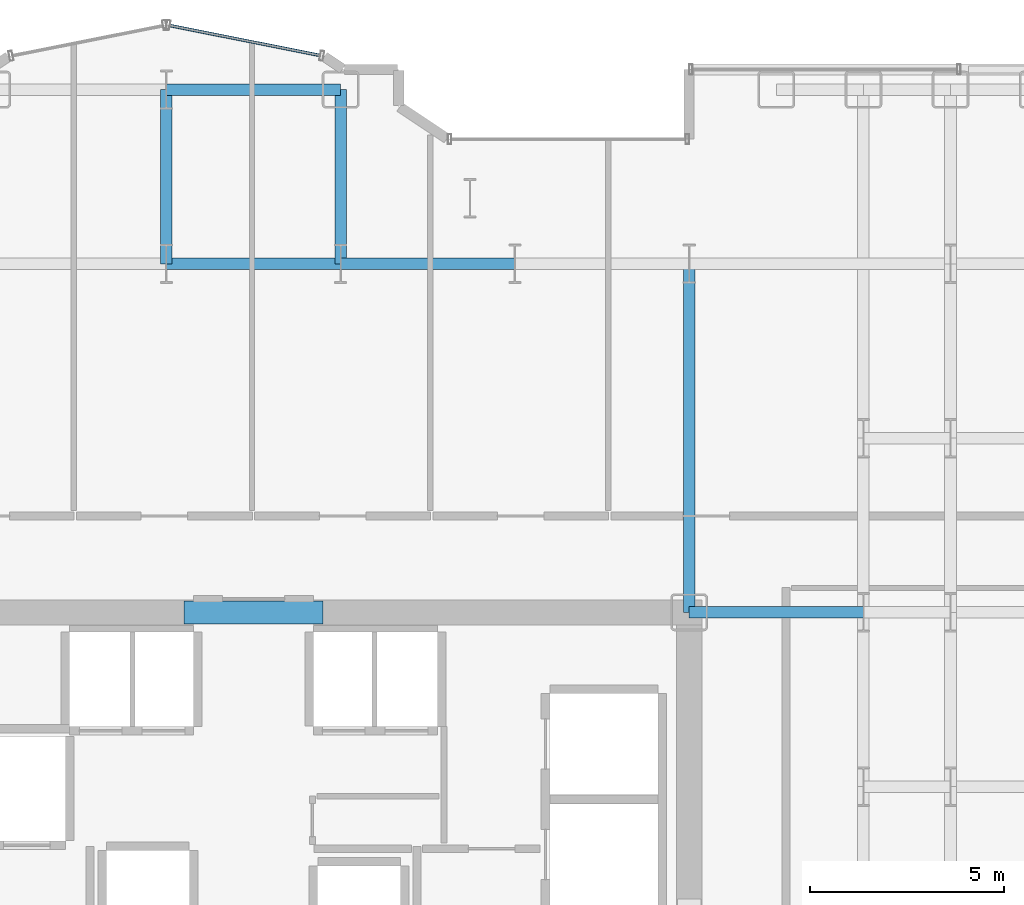
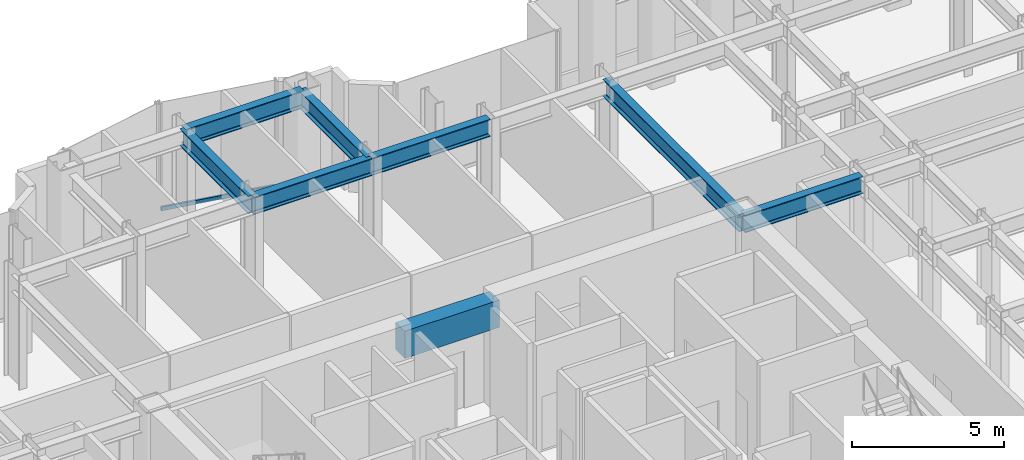
# One storey, part 14 of 30: 8 beams, 1 member, 1 element without a shape of its own.
"""IFC4 building model written with IfcOpenShell, lengths in metres."""

import ifcopenshell
import ifcopenshell.guid

model = None  # the IFC model being written
_history = None  # IfcOwnerHistory: only IFC2X3 demands one
_inside = {}  # id of a spatial element -> (the spatial element, [elements in it])
_under = {}  # id of a project, library or spatial element -> (it, [spatial elements below it])
_declared = {}  # id of a project -> (the project, [libraries it declares])
_typed = {}  # id of a type object -> (the type object, [elements of that type])
_made_of = {}  # id of a material, layer set ... -> (it, [elements and type objects made of it])


def new_model(schema):
    """Start an empty IFC model of exactly this schema.

    Asked for "IFC4X3", IfcOpenShell would pick the latest addendum, in which some entities
    have other attributes; the version numbers below select the first issue.
    IFC2X3 requires an IfcOwnerHistory on every rooted entity: one is made here for all.
    """
    global model, _history
    if schema == "IFC4X3":
        model = ifcopenshell.file(schema_version=(4, 3, 0, 0))
    else:
        model = ifcopenshell.file(schema=schema)
    _inside.clear()
    _under.clear()
    _declared.clear()
    _typed.clear()
    _made_of.clear()
    _history = None
    if model.schema == "IFC2X3":
        org = make("IfcOrganization", Name="unknown")
        user = make(
            "IfcPersonAndOrganization",
            ThePerson=make("IfcPerson", FamilyName="unknown"),
            TheOrganization=org,
        )
        app = make(
            "IfcApplication",
            ApplicationDeveloper=org,
            Version="unknown",
            ApplicationFullName="unknown",
            ApplicationIdentifier="unknown",
        )
        _history = make(
            "IfcOwnerHistory",
            OwningUser=user,
            OwningApplication=app,
            ChangeAction="ADDED",
            CreationDate=0,
        )
    return model


def make(cls, **values):
    """One entity of the class cls with the attributes given. An attribute that is None is left unset."""
    return model.create_entity(
        cls, **{name: value for name, value in values.items() if value is not None}
    )


def rooted(cls, **values):
    """An entity with a GlobalId (a new one), such as an element, a storey or a relation."""
    return make(cls, GlobalId=ifcopenshell.guid.new(), OwnerHistory=_history, **values)


def si_unit(unit_type, name, prefix=None):
    """IfcSIUnit, for example si_unit("LENGTHUNIT", "METRE", prefix="MILLI")."""
    return make("IfcSIUnit", UnitType=unit_type, Prefix=prefix, Name=name)


def assignment(units):
    """IfcUnitAssignment: the units of a project."""
    return None if units is None else make("IfcUnitAssignment", Units=units)


def point(xyz):
    """IfcCartesianPoint."""
    return None if xyz is None else make("IfcCartesianPoint", Coordinates=xyz)


def direction(xyz):
    """IfcDirection."""
    return None if xyz is None else make("IfcDirection", DirectionRatios=xyz)


def frame(location, z_axis=None, x_axis=None):
    """IfcAxis2Placement3D, a coordinate frame: its origin and axes. An axis left out is left unset."""
    return make(
        "IfcAxis2Placement3D",
        Location=point(location),
        Axis=direction(z_axis),
        RefDirection=direction(x_axis),
    )


def frame_2d(location, x_axis=None):
    """IfcAxis2Placement2D, a coordinate frame in the plane: its origin and x axis."""
    return make(
        "IfcAxis2Placement2D", Location=point(location), RefDirection=direction(x_axis)
    )


def origin():
    """The frame at (0, 0, 0) with its axes left unset."""
    return frame((0.0, 0.0, 0.0))


def origin_2d():
    """The frame at (0, 0) in the plane with its x axis left unset."""
    return frame_2d((0.0, 0.0))


def place(relative_to, where):
    """IfcLocalPlacement: puts the frame where relative to a parent placement (None: the world)."""
    return make(
        "IfcLocalPlacement", PlacementRelTo=relative_to, RelativePlacement=where
    )


def context(
    kind, dimensions, precision=None, world=None, true_north=None, identifier=None
):
    """IfcGeometricRepresentationContext, for example the 3D "Model" context."""
    return make(
        "IfcGeometricRepresentationContext",
        ContextIdentifier=identifier,
        ContextType=kind,
        CoordinateSpaceDimension=dimensions,
        Precision=precision,
        WorldCoordinateSystem=world,
        TrueNorth=true_north,
    )


def subcontext(parent, identifier, kind, view, scale=None):
    """IfcGeometricRepresentationSubContext, for example "Body" below "Model"."""
    return make(
        "IfcGeometricRepresentationSubContext",
        ContextIdentifier=identifier,
        ContextType=kind,
        ParentContext=parent,
        TargetScale=scale,
        TargetView=view,
    )


def project(units=None, contexts=None):
    """IfcProject with its units and contexts."""
    return rooted(
        "IfcProject",
        Name="project",
        RepresentationContexts=contexts,
        UnitsInContext=assignment(units),
    )


def spatial(cls, under=None, at=None, **own):
    """A site, building, storey or space (cls), placed at a placement, below another one or the project."""
    s = rooted(cls, ObjectPlacement=at, **own)
    if under is not None:
        _under.setdefault(under.id(), (under, []))[1].append(s)
    return s


def profile(cls, at=None, kind="AREA", **sizes):
    """A parametric profile (cls). Its sizes go by their IFC names, for example OverallWidth=200.0."""
    return make(cls, ProfileType=kind, Position=at, **sizes)


def rectangle(**sizes):
    """IfcRectangleProfileDef."""
    return profile("IfcRectangleProfileDef", **sizes)


def hollow_rectangle(**sizes):
    """IfcRectangleHollowProfileDef."""
    return profile("IfcRectangleHollowProfileDef", **sizes)


def i_section(**sizes):
    """IfcIShapeProfileDef."""
    return profile("IfcIShapeProfileDef", **sizes)


def extrude(swept, where, along, depth):
    """IfcExtrudedAreaSolid: the profile swept, set in the frame where, extruded along a direction by depth."""
    return make(
        "IfcExtrudedAreaSolid",
        SweptArea=swept,
        Position=where,
        ExtrudedDirection=direction(along),
        Depth=depth,
    )


def shape(context_of_items, identifier, shape_type, items):
    """IfcShapeRepresentation: the items that make up one representation, for example the "Body"."""
    return make(
        "IfcShapeRepresentation",
        ContextOfItems=context_of_items,
        RepresentationIdentifier=identifier,
        RepresentationType=shape_type,
        Items=items,
    )


def source(mapping_origin, context_of_items, identifier, shape_type, items):
    """IfcRepresentationMap: a shape defined once, which mapped items show again and again."""
    return make(
        "IfcRepresentationMap",
        MappingOrigin=mapping_origin,
        MappedRepresentation=shape(context_of_items, identifier, shape_type, items),
    )


def transform(
    local_origin,
    x_axis=None,
    y_axis=None,
    z_axis=None,
    scale=None,
    scale2=None,
    scale3=None,
    uniform=True,
):
    """IfcCartesianTransformationOperator3D, or its non-uniform kind. x_axis, y_axis, z_axis: its Axis1, 2, 3."""
    if uniform:
        return make(
            "IfcCartesianTransformationOperator3D",
            Axis1=direction(x_axis),
            Axis2=direction(y_axis),
            LocalOrigin=point(local_origin),
            Scale=scale,
            Axis3=direction(z_axis),
        )
    return make(
        "IfcCartesianTransformationOperator3DnonUniform",
        Axis1=direction(x_axis),
        Axis2=direction(y_axis),
        LocalOrigin=point(local_origin),
        Scale=scale,
        Axis3=direction(z_axis),
        Scale2=scale2,
        Scale3=scale3,
    )


def mapped(mapping_source, mapping_target):
    """IfcMappedItem: shows the shape of a source again, moved by a transform."""
    return make(
        "IfcMappedItem", MappingSource=mapping_source, MappingTarget=mapping_target
    )


def material(Name=None, Category=None):
    """IfcMaterial."""
    return make("IfcMaterial", Name=Name, Category=Category)


def layer(
    of_material, thickness, ventilated=None, Name=None, Category=None, Priority=None
):
    """IfcMaterialLayer: one layer of a wall or slab, of a material (None: an air gap)."""
    return make(
        "IfcMaterialLayer",
        Material=of_material,
        LayerThickness=thickness,
        IsVentilated=ventilated,
        Name=Name,
        Category=Category,
        Priority=Priority,
    )


def layer_set(layers, Name=None):
    """IfcMaterialLayerSet."""
    return make("IfcMaterialLayerSet", MaterialLayers=layers, LayerSetName=Name)


def material_profile(
    of_material, cross_section, Name=None, Category=None, Priority=None
):
    """IfcMaterialProfile: a cross section and its material."""
    return make(
        "IfcMaterialProfile",
        Name=Name,
        Material=of_material,
        Profile=cross_section,
        Priority=Priority,
        Category=Category,
    )


def profile_set(profiles, Name=None, composite=None):
    """IfcMaterialProfileSet."""
    return make(
        "IfcMaterialProfileSet",
        Name=Name,
        MaterialProfiles=profiles,
        CompositeProfile=composite,
    )


def made_of(thing, what):
    """Note that an element or type object is made of a material, layer set ...; save() writes the relation."""
    if what is not None:
        _made_of.setdefault(what.id(), (what, []))[1].append(thing)
    return thing


def type_object(cls, material=None, **own):
    """A type object (cls), such as IfcWallType, which elements share."""
    return made_of(rooted(cls, **own), material)


def element(
    cls,
    number,
    at=None,
    inside=None,
    cuts=None,
    type_object=None,
    material=None,
    context=None,
    identifier="Body",
    shape_type=None,
    held_by="IfcProductDefinitionShape",
    body=None,
    shapes=None,
    **own,
):
    """One element of the class cls, such as IfcWall. Its Tag is "e" and its number.

    at: its placement. inside: the storey or other place that contains it. cuts: it is an
    opening in that element (IfcRelVoidsElement). A single representation is given by context,
    identifier, shape_type and body (its items); several are given by shapes. held_by: the class
    of the entity that holds the representations. save() writes the other relations.
    """
    e = rooted(cls, Tag="e%d" % number, ObjectPlacement=at, **own)
    if body is not None:
        shapes = [shape(context, identifier, shape_type, body)]
    if shapes is not None:
        e.Representation = make(held_by, Representations=shapes)
    if inside is not None:
        _inside.setdefault(inside.id(), (inside, []))[1].append(e)
    if cuts is not None:
        rooted(
            "IfcRelVoidsElement", RelatingBuildingElement=cuts, RelatedOpeningElement=e
        )
    if type_object is not None:
        _typed.setdefault(type_object.id(), (type_object, []))[1].append(e)
    return made_of(e, material)


def aggregate(whole, parts):
    """IfcRelAggregates: a whole, such as a stair, and the parts it consists of."""
    return rooted("IfcRelAggregates", RelatingObject=whole, RelatedObjects=parts)


def save(model, path):
    """Write the relations noted so far, then the file.

    IfcRelAggregates (storeys below a building ...), IfcRelContainedInSpatialStructure (elements
    in a storey), IfcRelDefinesByType, IfcRelAssociatesMaterial and IfcRelDeclares: one each for
    every whole, place, type object, material and project.
    """
    for whole, parts in _under.values():
        aggregate(whole, parts)
    for where, things in _inside.values():
        rooted(
            "IfcRelContainedInSpatialStructure",
            RelatedElements=things,
            RelatingStructure=where,
        )
    for kind, things in _typed.values():
        rooted("IfcRelDefinesByType", RelatedObjects=things, RelatingType=kind)
    for what, things in _made_of.values():
        rooted("IfcRelAssociatesMaterial", RelatedObjects=things, RelatingMaterial=what)
    for by, libraries in _declared.values():
        rooted("IfcRelDeclares", RelatingContext=by, RelatedDefinitions=libraries)
    model.write(path)


model = new_model("IFC4")

# Units and contexts
model_context = context("Model", 3, precision=1e-05, world=origin(), true_north=direction((0.0, 1.0)))
body_context = subcontext(model_context, "Body", "Model", "MODEL_VIEW")
ifc_project = project(units=[si_unit("LENGTHUNIT", "METRE"), si_unit("AREAUNIT", "SQUARE_METRE"), si_unit("VOLUMEUNIT", "CUBIC_METRE"), si_unit("PLANEANGLEUNIT", "RADIAN"), si_unit("MASSUNIT", "GRAM", prefix="KILO")], contexts=[model_context])

# Site, building, storey
site_placement = place(None, origin())
site = spatial("IfcSite", under=ifc_project, at=site_placement, CompositionType="ELEMENT")
building_placement = place(site_placement, origin())
building = spatial("IfcBuilding", under=site, at=building_placement, Name="Nefas-Gora Pilgrimage Tower", CompositionType="ELEMENT")
storey_placement = place(building_placement, frame((0.0, 0.0, 86.199951171875)))
storey = spatial("IfcBuildingStorey", under=building, at=storey_placement, Name="L20", CompositionType="ELEMENT", Elevation=86.199951171875)

# Beams
ifc_material_1 = material(Name="Concrete C60/75", Category="concrete")
ifc_material_profile_1 = material_profile(ifc_material_1, rectangle(XDim=0.60009765625, YDim=1.10009765625, at=origin_2d()), Name="RC 600x1100")
ifc_profile_set_1 = profile_set([ifc_material_profile_1], Name="Concrete C60/75")
beam_type_1 = type_object("IfcBeamType", Name="BM-LIN-RC1100", PredefinedType="LINTEL", material=ifc_profile_set_1)
shared_shape_1 = source(origin(), body_context, "Body", "SweptSolid", [
    extrude(rectangle(XDim=0.60009765625, YDim=1.10009765625, at=origin_2d()), origin(), (0.0, 0.0, 1.0), 3.60009765625),
])
beam_1_placement = place(storey_placement, frame((-1.800048828125, 9.0, 3.800048828125), z_axis=(1.0, 0.0, 0.0), x_axis=(0.0, 1.0, 0.0)))
element("IfcBeam", 1, at=beam_1_placement, inside=storey, type_object=beam_type_1, Name="L20 Core Coupling Lintel Beam N", PredefinedType="LINTEL", context=body_context, shape_type="MappedRepresentation", body=[
    mapped(shared_shape_1, transform((0.0, 0.0, 0.0), x_axis=(1.0, 0.0, 0.0), y_axis=(0.0, 1.0, 0.0), z_axis=(0.0, 0.0, 1.0), scale=1.0)),
])
ifc_material_2 = material(Name="Steel S355", Category="steel")
ifc_material_profile_2 = material_profile(ifc_material_2, i_section(OverallWidth=0.300048828125, OverallDepth=0.699951171875, WebThickness=0.01708984375, FlangeThickness=0.031982421875, FilletRadius=0.027099609375, at=origin_2d()), Name="HEB 700")
ifc_profile_set_2 = profile_set([ifc_material_profile_2], Name="Steel S355")
beam_type_2 = type_object("IfcBeamType", Name="BM-GIR-HEB700", PredefinedType="BEAM", material=ifc_profile_set_2)
shared_shape_2 = source(origin(), body_context, "Body", "SweptSolid", [
    extrude(i_section(OverallWidth=0.300048828125, OverallDepth=0.699951171875, WebThickness=0.01708984375, FlangeThickness=0.031982421875, FilletRadius=0.027099609375, at=origin_2d()), origin(), (0.0, 0.0, 1.0), 9.0),
])
beam_2_placement = place(storey_placement, frame((11.25, 9.0, 4.0), z_axis=(0.0, 1.0, 0.0), x_axis=(-1.0, 0.0, 0.0)))
element("IfcBeam", 2, at=beam_2_placement, inside=storey, type_object=beam_type_2, Name="L20 G-02 beam", PredefinedType="BEAM", context=body_context, shape_type="MappedRepresentation", body=[
    mapped(shared_shape_2, transform((0.0, 0.0, 0.0), x_axis=(1.0, 0.0, 0.0), y_axis=(0.0, 1.0, 0.0), z_axis=(0.0, 0.0, 1.0), scale=1.0)),
])
shared_shape_3 = source(origin(), body_context, "Body", "SweptSolid", [
    extrude(i_section(OverallWidth=0.300048828125, OverallDepth=0.699951171875, WebThickness=0.01708984375, FlangeThickness=0.031982421875, FilletRadius=0.027099609375, at=origin_2d()), origin(), (0.0, 0.0, 1.0), 4.5),
])
for number, where, z_axis, x_axis, name in (
    (3, (-2.25, 18.0, 4.0), (0.0, 1.0, 0.0), (-1.0, 0.0, 0.0), "L20 G-02 beam"),
    (4, (-2.25, 18.0, 4.0), (1.0, 0.0, 0.0), (0.0, 1.0, 0.0), "L20 G-02 beam"),
    (5, (-2.25, 22.5, 4.0), (1.0, 0.0, 0.0), (0.0, 1.0, 0.0), "L20 G-02 beam"),
    (6, (2.25, 18.0, 4.0), (0.0, 1.0, 0.0), (-1.0, 0.0, 0.0), "L20 G-02 beam"),
    (7, (2.25, 18.0, 4.0), (1.0, 0.0, 0.0), (0.0, 1.0, 0.0), "L20 G-02 beam"),
    (8, (11.25, 9.0, 4.0), (1.0, 0.0, 0.0), (0.0, 1.0, 0.0), "L20 G-02 beam"),
):
    element("IfcBeam", number, at=place(storey_placement, frame(where, z_axis=z_axis, x_axis=x_axis)), inside=storey, type_object=beam_type_2, Name=name, PredefinedType="BEAM", context=body_context, shape_type="MappedRepresentation", body=[
        mapped(shared_shape_3, transform((0.0, 0.0, 0.0), x_axis=(1.0, 0.0, 0.0), y_axis=(0.0, 1.0, 0.0), z_axis=(0.0, 0.0, 1.0), scale=1.0)),
    ])

# Curtain wall, member
ifc_material_3 = material(Name="Dark ceramic-fritted solar-control aluminium-glass curtain wall", Category="aluminium")
ifc_layer = layer(ifc_material_3, 0.219970703125)
ifc_layer_set = layer_set([ifc_layer], Name="Dark ceramic-fritted solar-control aluminium-glass curtain wall")
curtain_wall_type = type_object("IfcCurtainWallType", Name="CW-SYS-5", PredefinedType="NOTDEFINED", material=ifc_layer_set)
curtain_wall_placement = place(storey_placement, origin())
curtain_wall = element("IfcCurtainWall", 9, at=curtain_wall_placement, inside=storey, type_object=curtain_wall_type, Name="L20 Unitised Curtain Wall CW5", PredefinedType="NOTDEFINED")
ifc_material_4 = material(Name="Anodised architectural aluminium", Category="aluminium")
ifc_material_profile_3 = material_profile(ifc_material_4, hollow_rectangle(XDim=0.080078125, YDim=0.159912109375, WallThickness=0.00439453125, InnerFilletRadius=0.00439453125, OuterFilletRadius=0.009033203125, at=origin_2d()), Name="ALU TRANSOM 80x160")
ifc_profile_set_3 = profile_set([ifc_material_profile_3], Name="Anodised architectural aluminium")
member_type = type_object("IfcMemberType", Name="CWM-TRN-5", PredefinedType="USERDEFINED", material=ifc_profile_set_3)
shared_shape_4 = source(origin(), body_context, "Body", "SweptSolid", [
    extrude(hollow_rectangle(XDim=0.080078125, YDim=0.159912109375, WallThickness=0.00439453125, InnerFilletRadius=0.00439453125, OuterFilletRadius=0.009033203125, at=origin_2d()), origin(), (0.0, 0.0, 1.0), 3.95654296875),
])
member_placement = place(storey_placement, frame((1.718994140625, 23.3828125, 0.050048828125), z_axis=(-0.980781880918, 0.195107411605, 0.0), x_axis=(-0.195107411605, -0.980781880918, 0.0)))
member = element("IfcMember", 10, at=member_placement, type_object=member_type, Name="CW5 Spandrel Transom", ObjectType="TRANSOM", PredefinedType="USERDEFINED", context=body_context, shape_type="MappedRepresentation", body=[
    mapped(shared_shape_4, transform((0.0, 0.0, 0.0), x_axis=(1.0, 0.0, 0.0), y_axis=(0.0, 1.0, 0.0), z_axis=(0.0, 0.0, 1.0), scale=1.0)),
])
aggregate(curtain_wall, [member])

save(model, "model.ifc")
